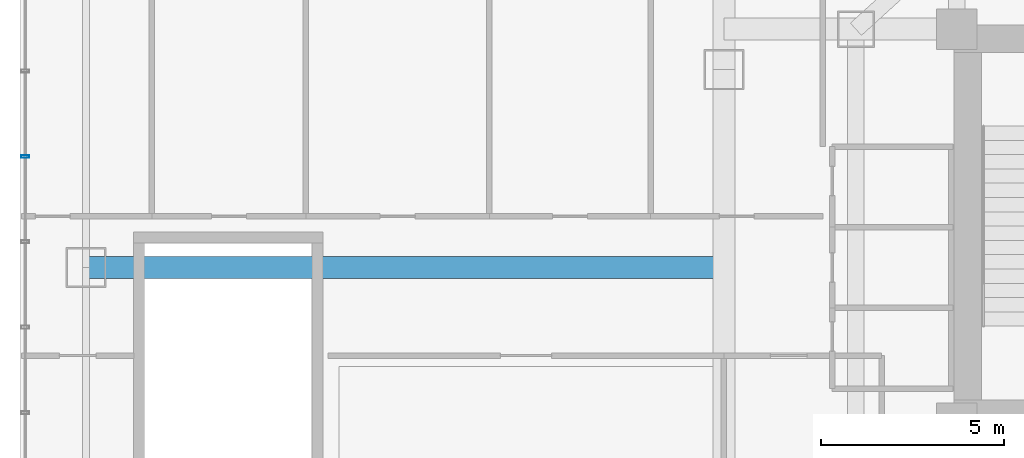
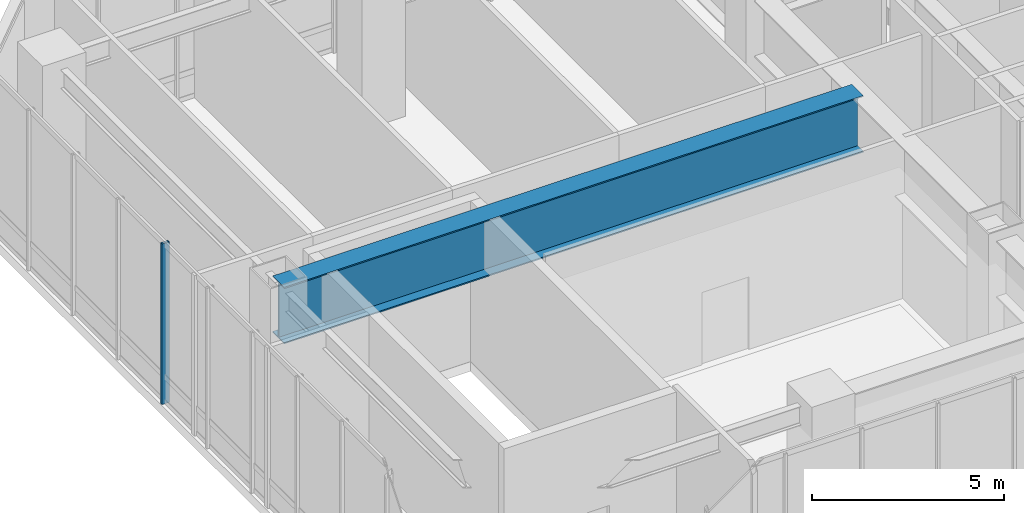
# One storey, part 19 of 38: 1 beam, 1 member, 1 element without a shape of its own.
"""IFC4 building model written with IfcOpenShell, lengths in metres."""

from ifc_helpers import new_model, si_unit, direction, frame, origin, origin_2d, place, context, subcontext, project, spatial, hollow_rectangle, i_section, extrude, material, layer, layer_set, material_profile, profile_set, type_object, element, aggregate, save


model = new_model("IFC4")

# Units and contexts
model_context = context("Model", 3, precision=1e-05, world=origin(), true_north=direction((0.0, 1.0)))
body_context = subcontext(model_context, "Body", "Model", "MODEL_VIEW")
ifc_project = project(units=[si_unit("LENGTHUNIT", "METRE"), si_unit("AREAUNIT", "SQUARE_METRE"), si_unit("VOLUMEUNIT", "CUBIC_METRE"), si_unit("PLANEANGLEUNIT", "RADIAN"), si_unit("MASSUNIT", "GRAM", prefix="KILO")], contexts=[model_context])

# Site, building, storey
site_placement = place(None, origin())
site = spatial("IfcSite", under=ifc_project, at=site_placement, CompositionType="ELEMENT")
building_placement = place(site_placement, origin())
building = spatial("IfcBuilding", under=site, at=building_placement, Name="Hatsunagi Terrace Concourse", CompositionType="ELEMENT")
storey_placement = place(building_placement, frame((0.0, 0.0, 21.60009765625)))
storey = spatial("IfcBuildingStorey", under=building, at=storey_placement, Name="L05", CompositionType="ELEMENT", Elevation=21.60009765625)

# Curtain wall, member
ifc_material_1 = material(Name="Anodised Aluminium Alloy 6063-T5", Category="aluminium")
ifc_layer = layer(ifc_material_1, 0.199951171875)
ifc_layer_set = layer_set([ifc_layer], Name="PodiumStorefront_CW01")
curtain_wall_type = type_object("IfcCurtainWallType", Name="PodiumStorefront_CW01", PredefinedType="NOTDEFINED", material=ifc_layer_set)
curtain_wall_placement = place(storey_placement, origin())
curtain_wall = element("IfcCurtainWall", 1, at=curtain_wall_placement, inside=storey, type_object=curtain_wall_type, Name="Unitised Curtain Wall CW-01 CW-L05-09", PredefinedType="NOTDEFINED")
ifc_material_2 = material(Name="Anodised Aluminium Alloy 6063-T5", Category="aluminium")
ifc_material_profile_1 = material_profile(ifc_material_2, hollow_rectangle(XDim=0.080078125, YDim=0.219970703125, WallThickness=0.0048828125, at=origin_2d()), Name="ALU-MUL-220x80x5")
ifc_profile_set_1 = profile_set([ifc_material_profile_1], Name="Anodised Aluminium Alloy 6063-T5")
member_type = type_object("IfcMemberType", Name="CurtainWallMullion_Heavy_220x80", PredefinedType="MULLION", material=ifc_profile_set_1)
member_placement = place(storey_placement, frame((0.139892578125, 39.827880859375, 0.0), z_axis=(0.0, 0.0, 1.0), x_axis=(0.0, 1.0, 0.0)))
member = element("IfcMember", 2, at=member_placement, type_object=member_type, Name="Curtain Wall Mullion MUL-01", PredefinedType="MULLION", context=body_context, shape_type="SweptSolid", body=[
    extrude(hollow_rectangle(XDim=0.080078125, YDim=0.219970703125, WallThickness=0.0048828125, at=origin_2d()), origin(), (0.0, 0.0, 1.0), 5.099853515625),
])
aggregate(curtain_wall, [member])

# Beam
ifc_material_3 = material(Name="Steel SN490C", Category="steel")
ifc_material_profile_2 = material_profile(ifc_material_3, i_section(OverallWidth=0.60009765625, OverallDepth=1.800048828125, WebThickness=0.031982421875, FlangeThickness=0.0400390625, at=origin_2d()), Name="BH-1800x600x32x40")
ifc_profile_set_2 = profile_set([ifc_material_profile_2], Name="Steel SN490C")
beam_type = type_object("IfcBeamType", Name="TransferGirder_BH_1800x600x32x40", PredefinedType="USERDEFINED", material=ifc_profile_set_2)
beam_placement = place(storey_placement, frame((1.800048828125, 36.800048828125, 4.199951171875), z_axis=(1.0, 0.0, 0.0), x_axis=(0.0, 1.0, 0.0)))
element("IfcBeam", 3, at=beam_placement, inside=storey, type_object=beam_type, Name="Transfer girder TG-01 TG-L05-EW1", ObjectType="TRANSFER_GIRDER", PredefinedType="USERDEFINED", context=body_context, shape_type="SweptSolid", body=[
    extrude(i_section(OverallWidth=0.60009765625, OverallDepth=1.800048828125, WebThickness=0.031982421875, FlangeThickness=0.0400390625, at=origin_2d()), origin(), (0.0, 0.0, 1.0), 17.39990234375),
])

save(model, "model.ifc")
